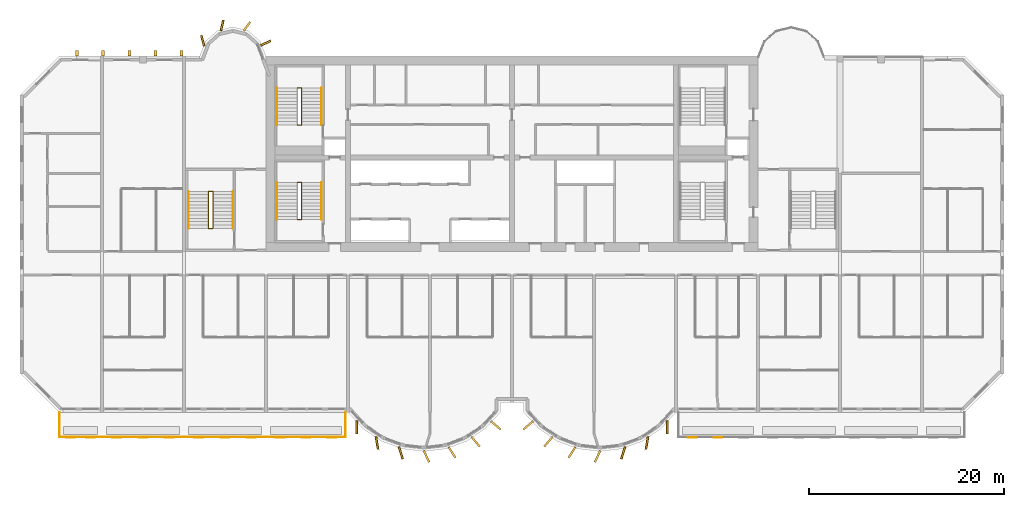
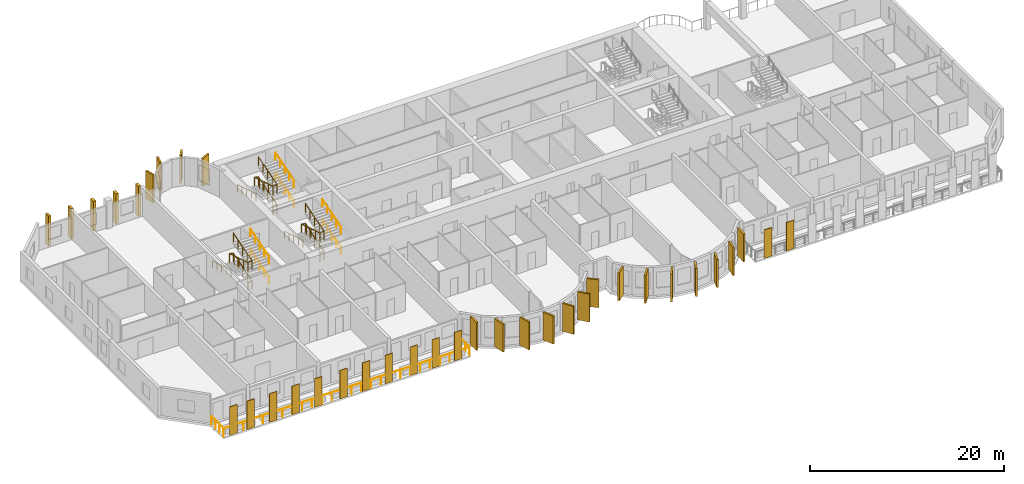
# One storey, part 12 of 14: 36 coverings, 13 railings.
"""IFC4 building model written with IfcOpenShell, lengths in metres."""

from ifc_helpers import new_model, si_unit, direction, frame, origin, origin_2d, place, context, subcontext, project, spatial, rectangle, circle, extrude, source, transform, mapped, material, layer, layer_set, material_profile, profile_set, type_object, element, save


model = new_model("IFC4")

# Units and contexts
model_context = context("Model", 3, precision=1e-05, world=origin(), true_north=direction((0.0, 1.0)))
body_context = subcontext(model_context, "Body", "Model", "MODEL_VIEW")
ifc_project = project(units=[si_unit("LENGTHUNIT", "METRE"), si_unit("AREAUNIT", "SQUARE_METRE"), si_unit("VOLUMEUNIT", "CUBIC_METRE"), si_unit("PLANEANGLEUNIT", "RADIAN"), si_unit("MASSUNIT", "GRAM", prefix="KILO")], contexts=[model_context])

# Site, building, storey
site_placement = place(None, origin())
site = spatial("IfcSite", under=ifc_project, at=site_placement, CompositionType="ELEMENT")
building_placement = place(site_placement, origin())
building = spatial("IfcBuilding", under=site, at=building_placement, Name="Vanashikhar Sky Hotel", CompositionType="ELEMENT")
storey_placement = place(building_placement, frame((0.0, 0.0, 121.800048828125)))
storey = spatial("IfcBuildingStorey", under=building, at=storey_placement, Name="L29", CompositionType="ELEMENT", Elevation=121.800048828125)

# Railing
ifc_material_1 = material(Name="Stainless steel 316", Category="steel")
railing_type_1 = type_object("IfcRailingType", Name="Balcony guard 1100", PredefinedType="GUARDRAIL", material=ifc_material_1)
shared_shape_1 = source(origin(), body_context, "Body", "SweptSolid", [
    extrude(circle(Radius=0.02392578125, at=origin_2d()), frame((0.0, 0.0, 1.076171875), z_axis=(0.0, -1.0, 0.0), x_axis=(1.0, 0.0, 0.0)), (0.0, 0.0, 1.0), 2.5),
    extrude(circle(Radius=0.02392578125, at=origin_2d()), frame((0.0, -2.5, 1.076171875), z_axis=(1.0, 0.0, 0.0), x_axis=(0.0, 1.0, 0.0)), (0.0, 0.0, 1.0), 29.280029296875),
    extrude(circle(Radius=0.02392578125, at=origin_2d()), frame((29.280029296875, -2.5, 1.076171875), z_axis=(0.0, 1.0, 0.0), x_axis=(-1.0, 0.0, 0.0)), (0.0, 0.0, 1.0), 2.5),
    extrude(circle(Radius=0.02099609375, at=origin_2d()), origin(), (0.0, 0.0, 1.0), 1.052001953125),
    extrude(circle(Radius=0.02099609375, at=origin_2d()), frame((0.0, -0.833251953125, 0.0)), (0.0, 0.0, 1.0), 1.052001953125),
    extrude(circle(Radius=0.02099609375, at=origin_2d()), frame((0.0, -1.666748046875, 0.0)), (0.0, 0.0, 1.0), 1.052001953125),
    extrude(circle(Radius=0.02099609375, at=origin_2d()), frame((0.0, -2.5, 0.0)), (0.0, 0.0, 1.0), 1.052001953125),
    extrude(circle(Radius=0.02099609375, at=origin_2d()), frame((1.171142578125, -2.5, 0.0)), (0.0, 0.0, 1.0), 1.052001953125),
    extrude(circle(Radius=0.02099609375, at=origin_2d()), frame((2.34228515625, -2.5, 0.0)), (0.0, 0.0, 1.0), 1.052001953125),
    extrude(circle(Radius=0.02099609375, at=origin_2d()), frame((3.513671875, -2.5, 0.0)), (0.0, 0.0, 1.0), 1.052001953125),
    extrude(circle(Radius=0.02099609375, at=origin_2d()), frame((4.684814453125, -2.5, 0.0)), (0.0, 0.0, 1.0), 1.052001953125),
    extrude(circle(Radius=0.02099609375, at=origin_2d()), frame((5.85595703125, -2.5, 0.0)), (0.0, 0.0, 1.0), 1.052001953125),
    extrude(circle(Radius=0.02099609375, at=origin_2d()), frame((7.027099609375, -2.5, 0.0)), (0.0, 0.0, 1.0), 1.052001953125),
    extrude(circle(Radius=0.02099609375, at=origin_2d()), frame((8.198486328125, -2.5, 0.0)), (0.0, 0.0, 1.0), 1.052001953125),
    extrude(circle(Radius=0.02099609375, at=origin_2d()), frame((9.36962890625, -2.5, 0.0)), (0.0, 0.0, 1.0), 1.052001953125),
    extrude(circle(Radius=0.02099609375, at=origin_2d()), frame((10.540771484375, -2.5, 0.0)), (0.0, 0.0, 1.0), 1.052001953125),
    extrude(circle(Radius=0.02099609375, at=origin_2d()), frame((11.7119140625, -2.5, 0.0)), (0.0, 0.0, 1.0), 1.052001953125),
    extrude(circle(Radius=0.02099609375, at=origin_2d()), frame((12.88330078125, -2.5, 0.0)), (0.0, 0.0, 1.0), 1.052001953125),
    extrude(circle(Radius=0.02099609375, at=origin_2d()), frame((14.054443359375, -2.5, 0.0)), (0.0, 0.0, 1.0), 1.052001953125),
    extrude(circle(Radius=0.02099609375, at=origin_2d()), frame((15.2255859375, -2.5, 0.0)), (0.0, 0.0, 1.0), 1.052001953125),
    extrude(circle(Radius=0.02099609375, at=origin_2d()), frame((16.396728515625, -2.5, 0.0)), (0.0, 0.0, 1.0), 1.052001953125),
    extrude(circle(Radius=0.02099609375, at=origin_2d()), frame((17.568115234375, -2.5, 0.0)), (0.0, 0.0, 1.0), 1.052001953125),
    extrude(circle(Radius=0.02099609375, at=origin_2d()), frame((18.7392578125, -2.5, 0.0)), (0.0, 0.0, 1.0), 1.052001953125),
    extrude(circle(Radius=0.02099609375, at=origin_2d()), frame((19.910400390625, -2.5, 0.0)), (0.0, 0.0, 1.0), 1.052001953125),
    extrude(circle(Radius=0.02099609375, at=origin_2d()), frame((21.08154296875, -2.5, 0.0)), (0.0, 0.0, 1.0), 1.052001953125),
    extrude(circle(Radius=0.02099609375, at=origin_2d()), frame((22.2529296875, -2.5, 0.0)), (0.0, 0.0, 1.0), 1.052001953125),
    extrude(circle(Radius=0.02099609375, at=origin_2d()), frame((23.424072265625, -2.5, 0.0)), (0.0, 0.0, 1.0), 1.052001953125),
    extrude(circle(Radius=0.02099609375, at=origin_2d()), frame((24.59521484375, -2.5, 0.0)), (0.0, 0.0, 1.0), 1.052001953125),
    extrude(circle(Radius=0.02099609375, at=origin_2d()), frame((25.766357421875, -2.5, 0.0)), (0.0, 0.0, 1.0), 1.052001953125),
    extrude(circle(Radius=0.02099609375, at=origin_2d()), frame((26.937744140625, -2.5, 0.0)), (0.0, 0.0, 1.0), 1.052001953125),
    extrude(circle(Radius=0.02099609375, at=origin_2d()), frame((28.10888671875, -2.5, 0.0)), (0.0, 0.0, 1.0), 1.052001953125),
    extrude(circle(Radius=0.02099609375, at=origin_2d()), frame((29.280029296875, -2.5, 0.0)), (0.0, 0.0, 1.0), 1.052001953125),
    extrude(circle(Radius=0.02099609375, at=origin_2d()), frame((29.280029296875, -1.666748046875, 0.0)), (0.0, 0.0, 1.0), 1.052001953125),
    extrude(circle(Radius=0.02099609375, at=origin_2d()), frame((29.280029296875, -0.833251953125, 0.0)), (0.0, 0.0, 1.0), 1.052001953125),
    extrude(circle(Radius=0.02099609375, at=origin_2d()), frame((29.280029296875, 0.0, 0.0)), (0.0, 0.0, 1.0), 1.052001953125),
])
railing_1_placement = place(storey_placement, frame((4.06005859375, 5.5, -0.050048828125)))
element("IfcRailing", 1, at=railing_1_placement, inside=storey, type_object=railing_type_1, Name="Balcony guard", PredefinedType="GUARDRAIL", context=body_context, shape_type="MappedRepresentation", body=[
    mapped(shared_shape_1, transform((0.0, 0.0, 0.0), scale=1.0)),
])

# Coverings
ifc_material_2 = material(Name="Terracotta", Category="masonry")
ifc_layer = layer(ifc_material_2, 0.06005859375)
ifc_layer_set = layer_set([ifc_layer], Name="Terracotta baguette screen")
covering_type_1 = type_object("IfcCoveringType", Name="Terracotta baguette screen", PredefinedType="CLADDING", material=ifc_layer_set)
shared_shape_2 = source(origin(), body_context, "Body", "SweptSolid", [
    extrude(rectangle(XDim=0.89990234375, YDim=0.06005859375, at=origin_2d()), origin(), (0.0, 0.0, 1.0), 3.60009765625),
])
for number, where, z_axis, x_axis, name in (
    (2, (5.175048828125, 2.929931640625, -0.050048828125), (0.0, 0.0, 1.0), (1.0, 0.0, 0.0), "Terracotta screen"),
    (3, (7.22509765625, 2.929931640625, -0.050048828125), (0.0, 0.0, 1.0), (1.0, 0.0, 0.0), "Terracotta screen"),
    (4, (9.89990234375, 2.929931640625, -0.050048828125), (0.0, 0.0, 1.0), (1.0, 0.0, 0.0), "Terracotta screen"),
    (5, (12.60009765625, 2.929931640625, -0.050048828125), (0.0, 0.0, 1.0), (1.0, 0.0, 0.0), "Terracotta screen"),
    (6, (15.300048828125, 2.929931640625, -0.050048828125), (0.0, 0.0, 1.0), (1.0, 0.0, 0.0), "Terracotta screen"),
    (7, (18.300048828125, 2.929931640625, -0.050048828125), (0.0, 0.0, 1.0), (1.0, 0.0, 0.0), "Terracotta screen"),
    (8, (21.0, 2.929931640625, -0.050048828125), (0.0, 0.0, 1.0), (1.0, 0.0, 0.0), "Terracotta screen"),
    (9, (23.699951171875, 2.929931640625, -0.050048828125), (0.0, 0.0, 1.0), (1.0, 0.0, 0.0), "Terracotta screen"),
    (10, (26.666748046875, 2.929931640625, -0.050048828125), (0.0, 0.0, 1.0), (1.0, 0.0, 0.0), "Terracotta screen"),
    (11, (29.300048828125, 2.929931640625, -0.050048828125), (0.0, 0.0, 1.0), (1.0, 0.0, 0.0), "Terracotta screen"),
    (12, (31.933349609375, 2.929931640625, -0.050048828125), (0.0, 0.0, 1.0), (1.0, 0.0, 0.0), "Terracotta screen"),
    (13, (68.86669921875, 2.929931640625, -0.050048828125), (0.0, 0.0, 1.0), (1.0, 0.0, 0.0), "Terracotta screen"),
    (14, (71.5, 2.929931640625, -0.050048828125), (0.0, 0.0, 1.0), (1.0, 0.0, 0.0), "Terracotta screen"),
):
    element("IfcCovering", number, at=place(storey_placement, frame(where, z_axis=z_axis, x_axis=x_axis)), inside=storey, type_object=covering_type_1, Name=name, PredefinedType="CLADDING", context=body_context, shape_type="MappedRepresentation", body=[
        mapped(shared_shape_2, transform((0.0, 0.0, 0.0), scale=1.0)),
    ])
ifc_material_3 = material(Name="Concrete M60 dark", Category="concrete")
ifc_material_profile_1 = material_profile(ifc_material_3, rectangle(XDim=1.300048828125, YDim=0.199951171875, at=origin_2d()))
ifc_profile_set_1 = profile_set([ifc_material_profile_1], Name="Fin 1300 x 200")
covering_type_2 = type_object("IfcCoveringType", Name="Fin 1300 x 200", PredefinedType="CLADDING", material=ifc_profile_set_1)
shared_shape_3 = source(origin(), body_context, "Body", "SweptSolid", [
    extrude(rectangle(XDim=1.300048828125, YDim=0.199951171875, at=origin_2d()), origin(), (0.0, 0.0, 1.0), 3.52001953125),
])
for number, where, z_axis, x_axis, name in (
    (15, (34.482421875, 3.992919921875, 0.0), (0.0, 0.0, 1.0), (0.011588726826, -0.999932848451, 0.0), "Fin F1-1"),
    (16, (36.572509765625, 2.3779296875, 0.0), (0.0, 0.0, 1.0), (0.16989991575, -0.985461322746, 0.0), "Fin F1-2"),
    (17, (39.00830078125, 1.35693359375, 0.0), (0.0, 0.0, 1.0), (0.303966551867, -0.952682704444, 0.0), "Fin F1-3"),
    (18, (41.63232421875, 1.00146484375, 0.0), (0.0, 0.0, 1.0), (0.422618261741, -0.906307787037, 0.0), "Fin F1-4"),
    (19, (44.251953125, 1.416015625, 0.0), (0.0, 0.0, 1.0), (0.534411358496, -0.845224526331, 0.0), "Fin F1-5"),
    (20, (46.676025390625, 2.5, 0.0), (0.0, 0.0, 1.0), (0.645697609467, -0.763593214433, 0.0), "Fin F1-6"),
    (21, (48.7412109375, 4.1845703125, 0.0), (0.0, 0.0, 1.0), (0.758543912032, -0.65162192529, 0.0), "Fin F1-7"),
    (22, (52.058837890625, 4.1845703125, 0.0), (0.0, 0.0, 1.0), (-0.758543912032, -0.65162192529, 0.0), "Fin F2-1"),
    (23, (54.123779296875, 2.5, 0.0), (0.0, 0.0, 1.0), (-0.645697609467, -0.763593214433, 0.0), "Fin F2-2"),
    (24, (56.547119140625, 1.416015625, 0.0), (0.0, 0.0, 1.0), (-0.534411358496, -0.845224526331, 0.0), "Fin F2-3"),
    (25, (59.16748046875, 1.00146484375, 0.0), (0.0, 0.0, 1.0), (-0.422618261741, -0.906307787037, 0.0), "Fin F2-4"),
    (26, (61.790771484375, 1.35693359375, 0.0), (0.0, 0.0, 1.0), (-0.303966551867, -0.952682704444, 0.0), "Fin F2-5"),
    (27, (64.2275390625, 2.3779296875, 0.0), (0.0, 0.0, 1.0), (-0.16989991575, -0.985461322746, 0.0), "Fin F2-6"),
    (28, (66.317626953125, 3.992919921875, 0.0), (0.0, 0.0, 1.0), (-0.011588726826, -0.999932848451, 0.0), "Fin F2-7"),
):
    element("IfcCovering", number, at=place(storey_placement, frame(where, z_axis=z_axis, x_axis=x_axis)), inside=storey, type_object=covering_type_2, Name=name, PredefinedType="CLADDING", context=body_context, shape_type="MappedRepresentation", body=[
        mapped(shared_shape_3, transform((0.0, 0.0, 0.0), scale=1.0)),
    ])
ifc_material_profile_2 = material_profile(ifc_material_3, rectangle(XDim=1.10009765625, YDim=0.199951171875, at=origin_2d()))
ifc_profile_set_2 = profile_set([ifc_material_profile_2], Name="Rear lobe fin 1100 x 200")
covering_type_3 = type_object("IfcCoveringType", Name="Rear lobe fin 1100 x 200", PredefinedType="CLADDING", material=ifc_profile_set_2)
shared_shape_4 = source(origin(), body_context, "Body", "SweptSolid", [
    extrude(rectangle(XDim=1.10009765625, YDim=0.199951171875, at=origin_2d()), origin(), (0.0, 0.0, 1.0), 3.52001953125),
])
for number, where, z_axis, x_axis, name in (
    (29, (18.720703125, 43.580078125, 0.0), (0.0, 0.0, 1.0), (-0.262711264409, 0.964874495234, 0.0), "Fin R1-1"),
    (30, (20.710205078125, 45.1455078125, 0.0), (0.0, 0.0, 1.0), (0.224644935864, 0.974440687159, 0.0), "Fin R1-2"),
    (31, (23.261962890625, 45.06640625, 0.0), (0.0, 0.0, 1.0), (0.602065892195, 0.798446404874, 0.0), "Fin R1-3"),
    (32, (25.169677734375, 43.33447265625, 0.0), (0.0, 0.0, 1.0), (0.908004291068, 0.418960866193, 0.0), "Fin R1-4"),
):
    element("IfcCovering", number, at=place(storey_placement, frame(where, z_axis=z_axis, x_axis=x_axis)), inside=storey, type_object=covering_type_3, Name=name, PredefinedType="CLADDING", context=body_context, shape_type="MappedRepresentation", body=[
        mapped(shared_shape_4, transform((0.0, 0.0, 0.0), scale=1.0)),
    ])
ifc_material_profile_3 = material_profile(ifc_material_3, rectangle(XDim=0.60009765625, YDim=0.300048828125, at=origin_2d()))
ifc_profile_set_3 = profile_set([ifc_material_profile_3], Name="Rear rib 600 x 300")
covering_type_4 = type_object("IfcCoveringType", Name="Rear rib 600 x 300", PredefinedType="CLADDING", material=ifc_profile_set_3)
shared_shape_5 = source(origin(), body_context, "Body", "SweptSolid", [
    extrude(rectangle(XDim=0.60009765625, YDim=0.300048828125, at=origin_2d()), origin(), (0.0, 0.0, 1.0), 3.800048828125),
])
for number, where, z_axis, x_axis, name in (
    (33, (5.840087890625, 42.300048828125, -0.280029296875), (0.0, 0.0, 1.0), (0.0, 1.0, 0.0), "Rear rib"),
    (34, (8.52001953125, 42.300048828125, -0.280029296875), (0.0, 0.0, 1.0), (0.0, 1.0, 0.0), "Rear rib"),
    (35, (11.199951171875, 42.300048828125, -0.280029296875), (0.0, 0.0, 1.0), (0.0, 1.0, 0.0), "Rear rib"),
    (36, (13.8798828125, 42.300048828125, -0.280029296875), (0.0, 0.0, 1.0), (0.0, 1.0, 0.0), "Rear rib"),
    (37, (16.56005859375, 42.300048828125, -0.280029296875), (0.0, 0.0, 1.0), (0.0, 1.0, 0.0), "Rear rib"),
):
    element("IfcCovering", number, at=place(storey_placement, frame(where, z_axis=z_axis, x_axis=x_axis)), inside=storey, type_object=covering_type_4, Name=name, PredefinedType="CLADDING", context=body_context, shape_type="MappedRepresentation", body=[
        mapped(shared_shape_5, transform((0.0, 0.0, 0.0), scale=1.0)),
    ])

# Railings
ifc_material_4 = material(Name="Steel S355", Category="steel")
railing_type_2 = type_object("IfcRailingType", Name="Stair guard 1100", PredefinedType="GUARDRAIL", material=ifc_material_4)
shared_shape_6 = source(origin(), body_context, "Body", "SweptSolid", [
    extrude(circle(Radius=0.02392578125, at=origin_2d()), frame((0.0, 0.0, 1.076171875), z_axis=(0.973638301096, 0.0, 0.228097476179), x_axis=(0.0, 1.0, 0.0)), (0.0, 0.0, 1.0), 0.46240234375),
    extrude(circle(Radius=0.02392578125, at=origin_2d()), frame((0.4501953125, 0.0, 1.181640625), z_axis=(0.0, 0.95635109408, 0.292220096591), x_axis=(-1.0, 0.0, 0.0)), (0.0, 0.0, 1.0), 3.973388671875),
    extrude(circle(Radius=0.02392578125, at=origin_2d()), frame((0.4501953125, 3.800048828125, 2.3427734375), z_axis=(-0.973638301096, 0.0, 0.228097476179), x_axis=(0.0, -1.0, 0.0)), (0.0, 0.0, 1.0), 0.46240234375),
    extrude(circle(Radius=0.02392578125, at=origin_2d()), frame((0.0, 3.800048828125, 2.4482421875), z_axis=(0.0, -0.95635109408, 0.292220096591), x_axis=(1.0, 0.0, 0.0)), (0.0, 0.0, 1.0), 3.973388671875),
    extrude(circle(Radius=0.02392578125, at=origin_2d()), frame((0.0, 0.0, 3.609375), z_axis=(0.973520925263, 0.0, 0.228597917917), x_axis=(0.0, 1.0, 0.0)), (0.0, 0.0, 1.0), 0.46240234375),
    extrude(circle(Radius=0.02392578125, at=origin_2d()), frame((0.4501953125, 0.0, 3.71484375), z_axis=(0.0, 0.95635109408, 0.292220096591), x_axis=(-1.0, 0.0, 0.0)), (0.0, 0.0, 1.0), 3.973388671875),
    extrude(circle(Radius=0.02099609375, at=origin_2d()), origin(), (0.0, 0.0, 1.0), 1.052001953125),
    extrude(circle(Radius=0.02099609375, at=origin_2d()), frame((0.4501953125, 0.0, 0.10546875)), (0.0, 0.0, 1.0), 1.052001953125),
    extrude(circle(Radius=0.02099609375, at=origin_2d()), frame((0.4501953125, 0.949951171875, 0.395751953125)), (0.0, 0.0, 1.0), 1.052001953125),
    extrude(circle(Radius=0.02099609375, at=origin_2d()), frame((0.4501953125, 1.89990234375, 0.68603515625)), (0.0, 0.0, 1.0), 1.052001953125),
    extrude(circle(Radius=0.02099609375, at=origin_2d()), frame((0.4501953125, 2.85009765625, 0.976318359375)), (0.0, 0.0, 1.0), 1.052001953125),
    extrude(circle(Radius=0.02099609375, at=origin_2d()), frame((0.4501953125, 3.800048828125, 1.2666015625)), (0.0, 0.0, 1.0), 1.052001953125),
    extrude(circle(Radius=0.02099609375, at=origin_2d()), frame((0.0, 3.800048828125, 1.3720703125)), (0.0, 0.0, 1.0), 1.052001953125),
    extrude(circle(Radius=0.02099609375, at=origin_2d()), frame((0.0, 2.85009765625, 1.662353515625)), (0.0, 0.0, 1.0), 1.052001953125),
    extrude(circle(Radius=0.02099609375, at=origin_2d()), frame((0.0, 1.89990234375, 1.95263671875)), (0.0, 0.0, 1.0), 1.052001953125),
    extrude(circle(Radius=0.02099609375, at=origin_2d()), frame((0.0, 0.949951171875, 2.242919921875)), (0.0, 0.0, 1.0), 1.052001953125),
    extrude(circle(Radius=0.02099609375, at=origin_2d()), frame((0.0, 0.0, 2.533203125)), (0.0, 0.0, 1.0), 1.052001953125),
    extrude(circle(Radius=0.02099609375, at=origin_2d()), frame((0.4501953125, 0.0, 2.638916015625)), (0.0, 0.0, 1.0), 1.052001953125),
    extrude(circle(Radius=0.02099609375, at=origin_2d()), frame((0.4501953125, 0.949951171875, 2.92919921875)), (0.0, 0.0, 1.0), 1.052001953125),
    extrude(circle(Radius=0.02099609375, at=origin_2d()), frame((0.4501953125, 1.89990234375, 3.219482421875)), (0.0, 0.0, 1.0), 1.052001953125),
    extrude(circle(Radius=0.02099609375, at=origin_2d()), frame((0.4501953125, 2.85009765625, 3.509765625)), (0.0, 0.0, 1.0), 1.052001953125),
    extrude(circle(Radius=0.02099609375, at=origin_2d()), frame((0.4501953125, 3.800048828125, 3.800048828125)), (0.0, 0.0, 1.0), 1.052001953125),
])
for number, where, name in (
    (38, (28.39990234375, 25.25, 0.0), "Exit stair 1 guard"),
    (39, (28.39990234375, 34.949951171875, 0.0), "Exit stair 5 guard"),
):
    element("IfcRailing", number, at=place(storey_placement, frame(where)), inside=storey, type_object=railing_type_2, Name=name, PredefinedType="GUARDRAIL", context=body_context, shape_type="MappedRepresentation", body=[
        mapped(shared_shape_6, transform((0.0, 0.0, 0.0), scale=1.0)),
    ])
railing_type_3 = type_object("IfcRailingType", Name="Stair handrail 900", PredefinedType="HANDRAIL", material=ifc_material_4)
shared_shape_7 = source(origin(), body_context, "Body", "SweptSolid", [
    extrude(circle(Radius=0.02392578125, at=origin_2d()), frame((0.0, 0.0, 0.8759765625), z_axis=(0.0, 0.95635109408, 0.292220096591), x_axis=(-1.0, 0.0, 0.0)), (0.0, 0.0, 1.0), 3.973388671875),
    extrude(circle(Radius=0.02099609375, at=origin_2d()), origin(), (0.0, 0.0, 1.0), 0.851806640625),
    extrude(circle(Radius=0.02099609375, at=origin_2d()), frame((0.0, 0.949951171875, 0.290283203125)), (0.0, 0.0, 1.0), 0.851806640625),
    extrude(circle(Radius=0.02099609375, at=origin_2d()), frame((0.0, 1.89990234375, 0.58056640625)), (0.0, 0.0, 1.0), 0.851806640625),
    extrude(circle(Radius=0.02099609375, at=origin_2d()), frame((0.0, 2.85009765625, 0.870849609375)), (0.0, 0.0, 1.0), 0.851806640625),
    extrude(circle(Radius=0.02099609375, at=origin_2d()), frame((0.0, 3.800048828125, 1.1611328125)), (0.0, 0.0, 1.0), 0.851806640625),
])
for number, where, name in (
    (40, (30.89990234375, 25.25, 0.10546875), "Exit stair 1 handrail"),
    (41, (30.89990234375, 25.25, 2.638916015625), "Exit stair 1 handrail"),
    (42, (30.89990234375, 34.949951171875, 0.10546875), "Exit stair 5 handrail"),
    (43, (30.89990234375, 34.949951171875, 2.638916015625), "Exit stair 5 handrail"),
):
    element("IfcRailing", number, at=place(storey_placement, frame(where)), inside=storey, type_object=railing_type_3, Name=name, PredefinedType="HANDRAIL", context=body_context, shape_type="MappedRepresentation", body=[
        mapped(shared_shape_7, transform((0.0, 0.0, 0.0), scale=1.0)),
    ])
shared_shape_8 = source(origin(), body_context, "Body", "SweptSolid", [
    extrude(circle(Radius=0.02392578125, at=origin_2d()), frame((0.0, 0.0, 0.8759765625), z_axis=(0.0, -0.95635109408, 0.292220096591), x_axis=(1.0, 0.0, 0.0)), (0.0, 0.0, 1.0), 3.973388671875),
    extrude(circle(Radius=0.02099609375, at=origin_2d()), origin(), (0.0, 0.0, 1.0), 0.851806640625),
    extrude(circle(Radius=0.02099609375, at=origin_2d()), frame((0.0, -0.949951171875, 0.290283203125)), (0.0, 0.0, 1.0), 0.851806640625),
    extrude(circle(Radius=0.02099609375, at=origin_2d()), frame((0.0, -1.89990234375, 0.58056640625)), (0.0, 0.0, 1.0), 0.851806640625),
    extrude(circle(Radius=0.02099609375, at=origin_2d()), frame((0.0, -2.85009765625, 0.870849609375)), (0.0, 0.0, 1.0), 0.851806640625),
    extrude(circle(Radius=0.02099609375, at=origin_2d()), frame((0.0, -3.800048828125, 1.1611328125)), (0.0, 0.0, 1.0), 0.851806640625),
])
for number, where, name in (
    (44, (26.35009765625, 29.050048828125, 1.3720703125), "Exit stair 1 handrail"),
    (45, (26.35009765625, 38.75, 1.3720703125), "Exit stair 5 handrail"),
):
    element("IfcRailing", number, at=place(storey_placement, frame(where)), inside=storey, type_object=railing_type_3, Name=name, PredefinedType="HANDRAIL", context=body_context, shape_type="MappedRepresentation", body=[
        mapped(shared_shape_8, transform((0.0, 0.0, 0.0), scale=1.0)),
    ])
shared_shape_9 = source(origin(), body_context, "Body", "SweptSolid", [
    extrude(circle(Radius=0.02392578125, at=origin_2d()), frame((0.0, 0.0, 1.076171875), z_axis=(0.973610808694, 0.0, 0.228214796178), x_axis=(0.0, 1.0, 0.0)), (0.0, 0.0, 1.0), 0.462158203125),
    extrude(circle(Radius=0.02392578125, at=origin_2d()), frame((0.449951171875, 0.0, 1.181640625), z_axis=(0.0, 0.956345846891, 0.292237268557), x_axis=(-1.0, 0.0, 0.0)), (0.0, 0.0, 1.0), 3.97314453125),
    extrude(circle(Radius=0.02392578125, at=origin_2d()), frame((0.449951171875, 3.7998046875, 2.3427734375), z_axis=(-0.973610808694, 0.0, 0.228214796178), x_axis=(0.0, -1.0, 0.0)), (0.0, 0.0, 1.0), 0.462158203125),
    extrude(circle(Radius=0.02392578125, at=origin_2d()), frame((0.0, 3.7998046875, 2.4482421875), z_axis=(0.0, -0.956345846891, 0.292237268557), x_axis=(1.0, 0.0, 0.0)), (0.0, 0.0, 1.0), 3.97314453125),
    extrude(circle(Radius=0.02392578125, at=origin_2d()), frame((0.0, 0.0, 3.609375), z_axis=(0.973493315427, 0.0, 0.228715466945), x_axis=(0.0, 1.0, 0.0)), (0.0, 0.0, 1.0), 0.462158203125),
    extrude(circle(Radius=0.02392578125, at=origin_2d()), frame((0.449951171875, 0.0, 3.71484375), z_axis=(0.0, 0.956345846891, 0.292237268557), x_axis=(-1.0, 0.0, 0.0)), (0.0, 0.0, 1.0), 3.97314453125),
    extrude(circle(Radius=0.02099609375, at=origin_2d()), origin(), (0.0, 0.0, 1.0), 1.052001953125),
    extrude(circle(Radius=0.02099609375, at=origin_2d()), frame((0.449951171875, 0.0, 0.10546875)), (0.0, 0.0, 1.0), 1.052001953125),
    extrude(circle(Radius=0.02099609375, at=origin_2d()), frame((0.449951171875, 0.949951171875, 0.395751953125)), (0.0, 0.0, 1.0), 1.052001953125),
    extrude(circle(Radius=0.02099609375, at=origin_2d()), frame((0.449951171875, 1.89990234375, 0.68603515625)), (0.0, 0.0, 1.0), 1.052001953125),
    extrude(circle(Radius=0.02099609375, at=origin_2d()), frame((0.449951171875, 2.849853515625, 0.976318359375)), (0.0, 0.0, 1.0), 1.052001953125),
    extrude(circle(Radius=0.02099609375, at=origin_2d()), frame((0.449951171875, 3.7998046875, 1.2666015625)), (0.0, 0.0, 1.0), 1.052001953125),
    extrude(circle(Radius=0.02099609375, at=origin_2d()), frame((0.0, 3.7998046875, 1.3720703125)), (0.0, 0.0, 1.0), 1.052001953125),
    extrude(circle(Radius=0.02099609375, at=origin_2d()), frame((0.0, 2.849853515625, 1.662353515625)), (0.0, 0.0, 1.0), 1.052001953125),
    extrude(circle(Radius=0.02099609375, at=origin_2d()), frame((0.0, 1.89990234375, 1.95263671875)), (0.0, 0.0, 1.0), 1.052001953125),
    extrude(circle(Radius=0.02099609375, at=origin_2d()), frame((0.0, 0.949951171875, 2.242919921875)), (0.0, 0.0, 1.0), 1.052001953125),
    extrude(circle(Radius=0.02099609375, at=origin_2d()), frame((0.0, 0.0, 2.533203125)), (0.0, 0.0, 1.0), 1.052001953125),
    extrude(circle(Radius=0.02099609375, at=origin_2d()), frame((0.449951171875, 0.0, 2.638916015625)), (0.0, 0.0, 1.0), 1.052001953125),
    extrude(circle(Radius=0.02099609375, at=origin_2d()), frame((0.449951171875, 0.949951171875, 2.92919921875)), (0.0, 0.0, 1.0), 1.052001953125),
    extrude(circle(Radius=0.02099609375, at=origin_2d()), frame((0.449951171875, 1.89990234375, 3.219482421875)), (0.0, 0.0, 1.0), 1.052001953125),
    extrude(circle(Radius=0.02099609375, at=origin_2d()), frame((0.449951171875, 2.849853515625, 3.509765625)), (0.0, 0.0, 1.0), 1.052001953125),
    extrude(circle(Radius=0.02099609375, at=origin_2d()), frame((0.449951171875, 3.7998046875, 3.800048828125)), (0.0, 0.0, 1.0), 1.052001953125),
])
railing_2_placement = place(storey_placement, frame((19.300048828125, 24.35009765625, 0.0)))
element("IfcRailing", 46, at=railing_2_placement, inside=storey, type_object=railing_type_2, Name="Exit stair 3 guard", PredefinedType="GUARDRAIL", context=body_context, shape_type="MappedRepresentation", body=[
    mapped(shared_shape_9, transform((0.0, 0.0, 0.0), scale=1.0)),
])
shared_shape_10 = source(origin(), body_context, "Body", "SweptSolid", [
    extrude(circle(Radius=0.02392578125, at=origin_2d()), frame((0.0, 0.0, 0.8759765625), z_axis=(0.0, 0.956345846891, 0.292237268557), x_axis=(-1.0, 0.0, 0.0)), (0.0, 0.0, 1.0), 3.97314453125),
    extrude(circle(Radius=0.02099609375, at=origin_2d()), origin(), (0.0, 0.0, 1.0), 0.851806640625),
    extrude(circle(Radius=0.02099609375, at=origin_2d()), frame((0.0, 0.949951171875, 0.290283203125)), (0.0, 0.0, 1.0), 0.851806640625),
    extrude(circle(Radius=0.02099609375, at=origin_2d()), frame((0.0, 1.89990234375, 0.58056640625)), (0.0, 0.0, 1.0), 0.851806640625),
    extrude(circle(Radius=0.02099609375, at=origin_2d()), frame((0.0, 2.849853515625, 0.870849609375)), (0.0, 0.0, 1.0), 0.851806640625),
    extrude(circle(Radius=0.02099609375, at=origin_2d()), frame((0.0, 3.7998046875, 1.1611328125)), (0.0, 0.0, 1.0), 0.851806640625),
])
for number, where, name in (
    (47, (21.800048828125, 24.35009765625, 0.10546875), "Exit stair 3 handrail"),
    (48, (21.800048828125, 24.35009765625, 2.638916015625), "Exit stair 3 handrail"),
):
    element("IfcRailing", number, at=place(storey_placement, frame(where)), inside=storey, type_object=railing_type_3, Name=name, PredefinedType="HANDRAIL", context=body_context, shape_type="MappedRepresentation", body=[
        mapped(shared_shape_10, transform((0.0, 0.0, 0.0), scale=1.0)),
    ])
shared_shape_11 = source(origin(), body_context, "Body", "SweptSolid", [
    extrude(circle(Radius=0.02392578125, at=origin_2d()), frame((0.0, 0.0, 0.8759765625), z_axis=(0.0, -0.956345846891, 0.292237268557), x_axis=(1.0, 0.0, 0.0)), (0.0, 0.0, 1.0), 3.97314453125),
    extrude(circle(Radius=0.02099609375, at=origin_2d()), origin(), (0.0, 0.0, 1.0), 0.851806640625),
    extrude(circle(Radius=0.02099609375, at=origin_2d()), frame((0.0, -0.949951171875, 0.290283203125)), (0.0, 0.0, 1.0), 0.851806640625),
    extrude(circle(Radius=0.02099609375, at=origin_2d()), frame((0.0, -1.89990234375, 0.58056640625)), (0.0, 0.0, 1.0), 0.851806640625),
    extrude(circle(Radius=0.02099609375, at=origin_2d()), frame((0.0, -2.849853515625, 0.870849609375)), (0.0, 0.0, 1.0), 0.851806640625),
    extrude(circle(Radius=0.02099609375, at=origin_2d()), frame((0.0, -3.7998046875, 1.1611328125)), (0.0, 0.0, 1.0), 0.851806640625),
])
railing_3_placement = place(storey_placement, frame((17.25, 28.14990234375, 1.3720703125)))
element("IfcRailing", 49, at=railing_3_placement, inside=storey, type_object=railing_type_3, Name="Exit stair 3 handrail", PredefinedType="HANDRAIL", context=body_context, shape_type="MappedRepresentation", body=[
    mapped(shared_shape_11, transform((0.0, 0.0, 0.0), scale=1.0)),
])

save(model, "model.ifc")
